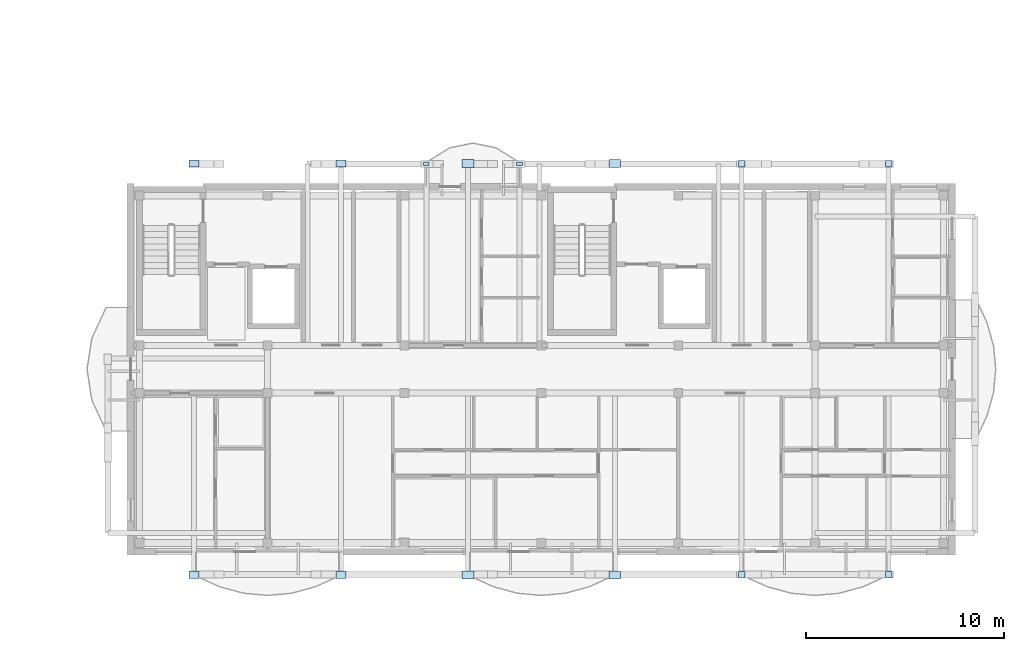
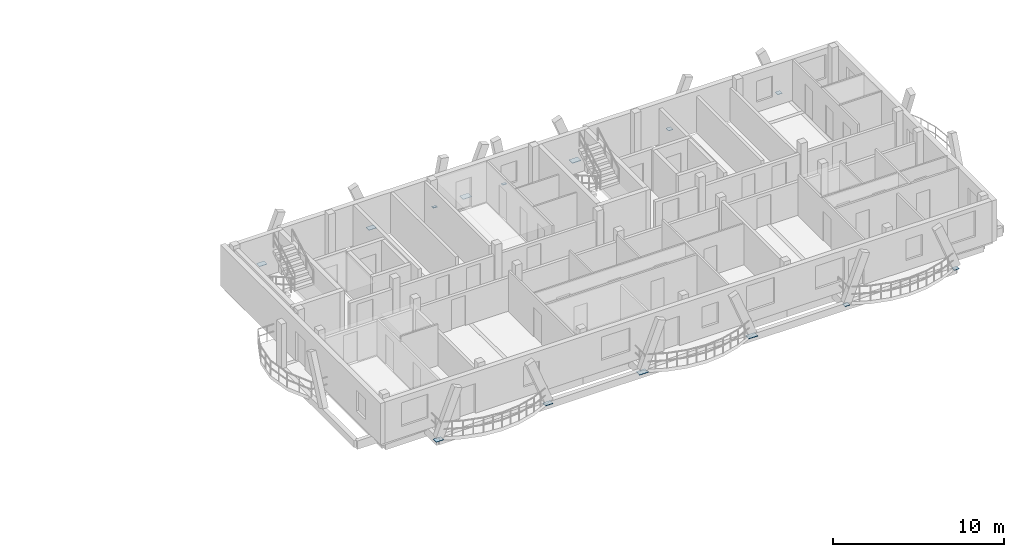
# One storey, part 12 of 42: 14 plates.
"""IFC4 building model written with IfcOpenShell, lengths in metres."""

from ifc_helpers import new_model, si_unit, direction, frame, origin, origin_2d, place, context, subcontext, project, spatial, rectangle, extrude, material, layer, layer_set, type_object, element, save


model = new_model("IFC4")

# Units and contexts
model_context = context("Model", 3, precision=1e-05, world=origin(), true_north=direction((0.0, 1.0)))
body_context = subcontext(model_context, "Body", "Model", "MODEL_VIEW")
ifc_project = project(units=[si_unit("LENGTHUNIT", "METRE"), si_unit("AREAUNIT", "SQUARE_METRE"), si_unit("VOLUMEUNIT", "CUBIC_METRE"), si_unit("PLANEANGLEUNIT", "RADIAN"), si_unit("MASSUNIT", "GRAM", prefix="KILO")], contexts=[model_context])

# Site, building, storey
site_placement = place(None, origin())
site = spatial("IfcSite", under=ifc_project, at=site_placement, CompositionType="ELEMENT")
building_placement = place(site_placement, origin())
building = spatial("IfcBuilding", under=site, at=building_placement, Name="Zavelmont Quarter", CompositionType="ELEMENT")
storey_placement = place(building_placement, frame((0.0, 0.0, 24.0)))
storey = spatial("IfcBuildingStorey", under=building, at=storey_placement, Name="L07", CompositionType="ELEMENT", Elevation=24.0)

# Plates
ifc_material = material(Name="Steel S355", Category="steel")
ifc_layer_1 = layer(ifc_material, 0.02001953125)
ifc_layer_set_1 = layer_set([ifc_layer_1], Name="Steel S355")
plate_type_1 = type_object("IfcPlateType", Name="NP01", PredefinedType="SHEET", material=ifc_layer_set_1)
for number, where, z_axis, x_axis, name in (
    (1, (141.50048828125, 19.56201171875, -0.2099609375), (0.0, 0.0, 1.0), (1.0, 0.0, 0.0), "L07 steel connection plate NP01 at 21/D"),
    (2, (146.199462890625, 19.56201171875, -0.2099609375), (0.0, 0.0, 1.0), (1.0, 0.0, 0.0), "L07 steel connection plate NP01 at 22/D"),
):
    element("IfcPlate", number, at=place(storey_placement, frame(where, z_axis=z_axis, x_axis=x_axis)), inside=storey, type_object=plate_type_1, Name=name, PredefinedType="SHEET", context=body_context, shape_type="SweptSolid", body=[
        extrude(rectangle(XDim=0.280029296875, YDim=0.179931640625, at=origin_2d()), origin(), (0.0, 0.0, 1.0), 0.02001953125),
    ])
ifc_layer_2 = layer(ifc_material, 0.028076171875)
ifc_layer_set_2 = layer_set([ifc_layer_2], Name="Steel S355")
plate_type_2 = type_object("IfcPlateType", Name="NP04", PredefinedType="SHEET", material=ifc_layer_set_2)
for number, where, z_axis, x_axis, name in (
    (3, (129.798583984375, -1.162109375, -0.2138671875), (0.0, 0.0, 1.0), (1.0, 0.0, 0.0), "L07 steel connection plate NP04 at 19/A"),
    (4, (137.201416015625, -1.162109375, -0.2138671875), (0.0, 0.0, 1.0), (1.0, 0.0, 0.0), "L07 steel connection plate NP04 at 21/A"),
    (5, (129.798583984375, 19.56201171875, -0.2138671875), (0.0, 0.0, 1.0), (1.0, 0.0, 0.0), "L07 steel connection plate NP04 at 19/D"),
    (6, (137.201416015625, 19.56201171875, -0.2138671875), (0.0, 0.0, 1.0), (1.0, 0.0, 0.0), "L07 steel connection plate NP04 at 21/D"),
):
    element("IfcPlate", number, at=place(storey_placement, frame(where, z_axis=z_axis, x_axis=x_axis)), inside=storey, type_object=plate_type_2, Name=name, PredefinedType="SHEET", context=body_context, shape_type="SweptSolid", body=[
        extrude(rectangle(XDim=0.52001953125, YDim=0.360107421875, at=origin_2d()), origin(), (0.0, 0.0, 1.0), 0.028076171875),
    ])
ifc_layer_3 = layer(ifc_material, 0.030029296875)
ifc_layer_set_3 = layer_set([ifc_layer_3], Name="Steel S355")
plate_type_3 = type_object("IfcPlateType", Name="NP05", PredefinedType="SHEET", material=ifc_layer_set_3)
for number, where, z_axis, x_axis, name in (
    (7, (143.5986328125, -1.162109375, -0.21484375), (0.0, 0.0, 1.0), (1.0, 0.0, 0.0), "L07 steel connection plate NP05 at 21/A"),
    (8, (151.001220703125, -1.162109375, -0.21484375), (0.0, 0.0, 1.0), (1.0, 0.0, 0.0), "L07 steel connection plate NP05 at 23/A"),
    (9, (143.5986328125, 19.56201171875, -0.21484375), (0.0, 0.0, 1.0), (1.0, 0.0, 0.0), "L07 steel connection plate NP05 at 21/D"),
    (10, (151.001220703125, 19.56201171875, -0.21484375), (0.0, 0.0, 1.0), (1.0, 0.0, 0.0), "L07 steel connection plate NP05 at 23/D"),
):
    element("IfcPlate", number, at=place(storey_placement, frame(where, z_axis=z_axis, x_axis=x_axis)), inside=storey, type_object=plate_type_3, Name=name, PredefinedType="SHEET", context=body_context, shape_type="SweptSolid", body=[
        extrude(rectangle(XDim=0.60009765625, YDim=0.39990234375, at=origin_2d()), origin(), (0.0, 0.0, 1.0), 0.030029296875),
    ])
ifc_layer_4 = layer(ifc_material, 0.02197265625)
ifc_layer_set_4 = layer_set([ifc_layer_4], Name="Steel S355")
plate_type_4 = type_object("IfcPlateType", Name="NP06", PredefinedType="SHEET", material=ifc_layer_set_4)
for number, where, z_axis, x_axis, name in (
    (11, (157.398681640625, -1.162109375, -0.2109375), (0.0, 0.0, 1.0), (1.0, 0.0, 0.0), "L07 steel connection plate NP06 at 23/A"),
    (12, (164.80126953125, -1.162109375, -0.2109375), (0.0, 0.0, 1.0), (1.0, 0.0, 0.0), "L07 steel connection plate NP06 at 25/A"),
    (13, (157.398681640625, 19.56201171875, -0.2109375), (0.0, 0.0, 1.0), (1.0, 0.0, 0.0), "L07 steel connection plate NP06 at 23/D"),
    (14, (164.80126953125, 19.56201171875, -0.2109375), (0.0, 0.0, 1.0), (1.0, 0.0, 0.0), "L07 steel connection plate NP06 at 25/D"),
):
    element("IfcPlate", number, at=place(storey_placement, frame(where, z_axis=z_axis, x_axis=x_axis)), inside=storey, type_object=plate_type_4, Name=name, PredefinedType="SHEET", context=body_context, shape_type="SweptSolid", body=[
        extrude(rectangle(XDim=0.320068359375, YDim=0.320068359375, at=origin_2d()), origin(), (0.0, 0.0, 1.0), 0.02197265625),
    ])

save(model, "model.ifc")
